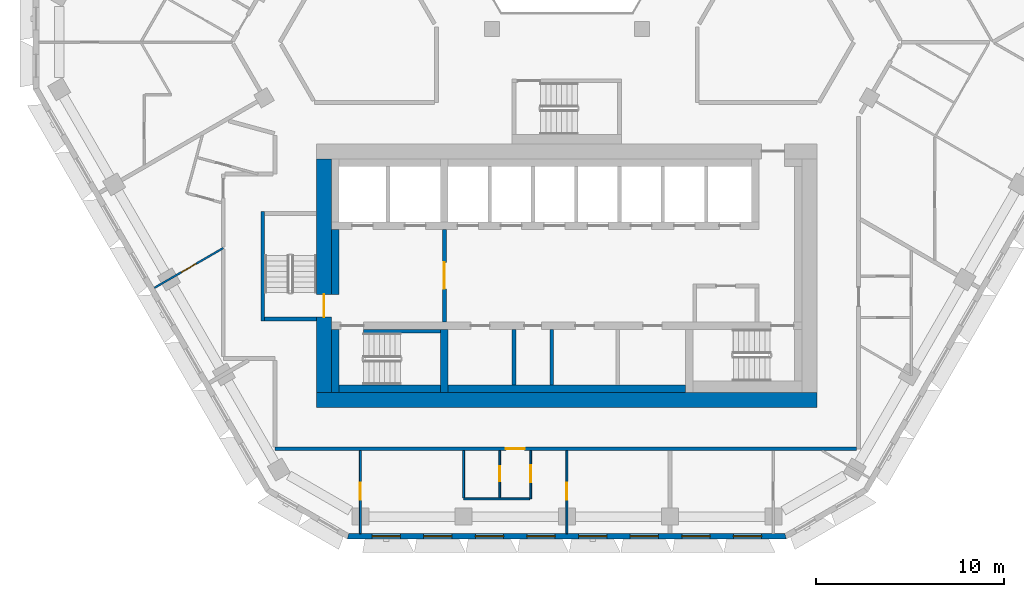
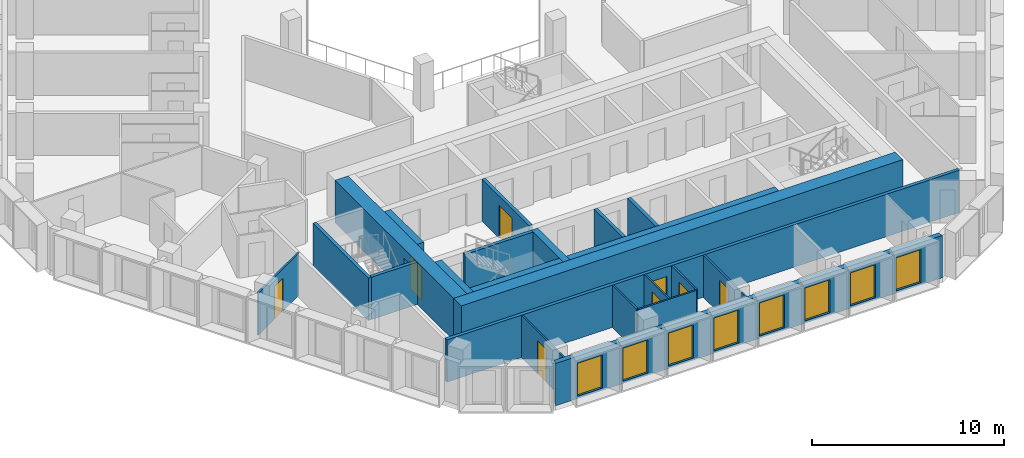
# One storey, part 3 of 17: 22 walls, 8 doors, 8 windows, 16 openings.
"""IFC4 building model written with IfcOpenShell, lengths in metres."""

from ifc_helpers import new_model, si_unit, direction, frame, frame_2d, origin, place, context, subcontext, project, spatial, polyline, rectangle, outline, extrude, material, layer, layer_set, type_object, element, fill, save


model = new_model("IFC4")

# Units and contexts
model_context = context("Model", 3, precision=1e-05, world=origin(), true_north=direction((0.0, 1.0)))
body_context = subcontext(model_context, "Body", "Model", "MODEL_VIEW")
ifc_project = project(units=[si_unit("LENGTHUNIT", "METRE"), si_unit("AREAUNIT", "SQUARE_METRE"), si_unit("VOLUMEUNIT", "CUBIC_METRE"), si_unit("PLANEANGLEUNIT", "RADIAN"), si_unit("MASSUNIT", "GRAM", prefix="KILO")], contexts=[model_context])

# Site, building, storey
site_placement = place(None, origin())
site = spatial("IfcSite", under=ifc_project, at=site_placement, CompositionType="ELEMENT")
building_placement = place(site_placement, origin())
building = spatial("IfcBuilding", under=site, at=building_placement, Name="Beryl Residences", CompositionType="ELEMENT")
storey_placement = place(building_placement, frame((0.0, 0.0, 126.60009765625)))
storey = spatial("IfcBuildingStorey", under=building, at=storey_placement, Name="L38", CompositionType="ELEMENT", Elevation=126.60009765625)

# Wall, openings, windows
ifc_material_1 = material(Name="Composite metal panel with mineral wool insulation")
ifc_layer_1 = layer(ifc_material_1, 0.300048828125)
ifc_layer_set_1 = layer_set([ifc_layer_1], Name="ES1 pale metal composite panel wall 300 mm")
wall_type_1 = type_object("IfcWallType", Name="ES1 pale metal composite panel wall 300 mm", PredefinedType="SOLIDWALL", material=ifc_layer_set_1)
wall_1_placement = place(storey_placement, frame((-11.662109375, -25.85009765625, 0.0), z_axis=(0.0, 0.0, 1.0), x_axis=(1.0, 0.0, 0.0)))
wall_1 = element("IfcWall", 1, at=wall_1_placement, inside=storey, type_object=wall_type_1, Name="ES1 external wall L38 S", PredefinedType="SOLIDWALL", context=body_context, shape_type="SweptSolid", body=[
    extrude(outline(polyline([(0.0, -0.14990234375), (23.32421875, -0.14990234375), (23.243896484375, 0.14990234375), (0.080322265625, 0.14990234375), (0.0, -0.14990234375)])), origin(), (0.0, 0.0, 1.0), 2.699951171875),
])
opening_1_placement = place(wall_1_placement, frame((1.31396484375, 0.0, 0.14990234375)))
opening_1 = element("IfcOpeningElement", 2, at=opening_1_placement, cuts=wall_1, Name="Opening W1", PredefinedType="OPENING", context=body_context, shape_type="SweptSolid", body=[
    extrude(rectangle(XDim=1.5, YDim=2.10009765625, at=frame_2d((0.75, 1.050048828125))), frame((0.0, 0.159912109375, 0.0), z_axis=(0.0, -1.0, 0.0), x_axis=(1.0, 0.0, 0.0)), (0.0, 0.0, 1.0), 0.320068359375),
])
opening_2_placement = place(wall_1_placement, frame((4.056884765625, 0.0, 0.14990234375)))
opening_2 = element("IfcOpeningElement", 3, at=opening_2_placement, cuts=wall_1, Name="Opening W1", PredefinedType="OPENING", context=body_context, shape_type="SweptSolid", body=[
    extrude(rectangle(XDim=1.5, YDim=2.10009765625, at=frame_2d((0.75, 1.050048828125))), frame((0.0, 0.159912109375, 0.0), z_axis=(0.0, -1.0, 0.0), x_axis=(1.0, 0.0, 0.0)), (0.0, 0.0, 1.0), 0.320068359375),
])
opening_3_placement = place(wall_1_placement, frame((6.799072265625, 0.0, 0.14990234375)))
opening_3 = element("IfcOpeningElement", 4, at=opening_3_placement, cuts=wall_1, Name="Opening W1", PredefinedType="OPENING", context=body_context, shape_type="SweptSolid", body=[
    extrude(rectangle(XDim=1.5, YDim=2.10009765625, at=frame_2d((0.75, 1.050048828125))), frame((0.0, 0.159912109375, 0.0), z_axis=(0.0, -1.0, 0.0), x_axis=(1.0, 0.0, 0.0)), (0.0, 0.0, 1.0), 0.320068359375),
])
opening_4_placement = place(wall_1_placement, frame((9.5419921875, 0.0, 0.14990234375)))
opening_4 = element("IfcOpeningElement", 5, at=opening_4_placement, cuts=wall_1, Name="Opening W1", PredefinedType="OPENING", context=body_context, shape_type="SweptSolid", body=[
    extrude(rectangle(XDim=1.5, YDim=2.10009765625, at=frame_2d((0.75, 1.050048828125))), frame((0.0, 0.159912109375, 0.0), z_axis=(0.0, -1.0, 0.0), x_axis=(1.0, 0.0, 0.0)), (0.0, 0.0, 1.0), 0.320068359375),
])
opening_5_placement = place(wall_1_placement, frame((12.283935546875, 0.0, 0.14990234375)))
opening_5 = element("IfcOpeningElement", 6, at=opening_5_placement, cuts=wall_1, Name="Opening W1", PredefinedType="OPENING", context=body_context, shape_type="SweptSolid", body=[
    extrude(rectangle(XDim=1.5, YDim=2.10009765625, at=frame_2d((0.75, 1.050048828125))), frame((0.0, 0.159912109375, 0.0), z_axis=(0.0, -1.0, 0.0), x_axis=(1.0, 0.0, 0.0)), (0.0, 0.0, 1.0), 0.320068359375),
])
opening_6_placement = place(wall_1_placement, frame((15.027099609375, 0.0, 0.14990234375)))
opening_6 = element("IfcOpeningElement", 7, at=opening_6_placement, cuts=wall_1, Name="Opening W1", PredefinedType="OPENING", context=body_context, shape_type="SweptSolid", body=[
    extrude(rectangle(XDim=1.5, YDim=2.10009765625, at=frame_2d((0.75, 1.050048828125))), frame((0.0, 0.159912109375, 0.0), z_axis=(0.0, -1.0, 0.0), x_axis=(1.0, 0.0, 0.0)), (0.0, 0.0, 1.0), 0.320068359375),
])
opening_7_placement = place(wall_1_placement, frame((17.76904296875, 0.0, 0.14990234375)))
opening_7 = element("IfcOpeningElement", 8, at=opening_7_placement, cuts=wall_1, Name="Opening W1", PredefinedType="OPENING", context=body_context, shape_type="SweptSolid", body=[
    extrude(rectangle(XDim=1.5, YDim=2.10009765625, at=frame_2d((0.75, 1.050048828125))), frame((0.0, 0.159912109375, 0.0), z_axis=(0.0, -1.0, 0.0), x_axis=(1.0, 0.0, 0.0)), (0.0, 0.0, 1.0), 0.320068359375),
])
opening_8_placement = place(wall_1_placement, frame((20.511962890625, 0.0, 0.14990234375)))
opening_8 = element("IfcOpeningElement", 9, at=opening_8_placement, cuts=wall_1, Name="Opening W1", PredefinedType="OPENING", context=body_context, shape_type="SweptSolid", body=[
    extrude(rectangle(XDim=1.5, YDim=2.10009765625, at=frame_2d((0.75, 1.050048828125))), frame((0.0, 0.159912109375, 0.0), z_axis=(0.0, -1.0, 0.0), x_axis=(1.0, 0.0, 0.0)), (0.0, 0.0, 1.0), 0.320068359375),
])
ifc_material_2 = material(Name="Aluminium and clear glass", Category="aluminium")
window_type = type_object("IfcWindowType", Name="W1 cell window 1500 x 2100 mm", PartitioningType="SINGLE_PANEL", PredefinedType="WINDOW", material=ifc_material_2)
window_1_placement = place(opening_1_placement, origin())
window_1 = element("IfcWindow", 10, at=window_1_placement, inside=storey, type_object=window_type, Name="W1 window L38 S 1", OverallHeight=2.10009765625, OverallWidth=1.5, PartitioningType="SINGLE_PANEL", PredefinedType="WINDOW", context=body_context, shape_type="SweptSolid", body=[
    extrude(rectangle(XDim=1.5, YDim=2.10009765625, at=frame_2d((0.75, 1.050048828125))), frame((0.0, 0.030029296875, 0.0), z_axis=(0.0, -1.0, 0.0), x_axis=(1.0, 0.0, 0.0)), (0.0, 0.0, 1.0), 0.06005859375),
])
fill(opening_1, window_1)
window_2_placement = place(opening_2_placement, origin())
window_2 = element("IfcWindow", 11, at=window_2_placement, inside=storey, type_object=window_type, Name="W1 window L38 S 2", OverallHeight=2.10009765625, OverallWidth=1.5, PartitioningType="SINGLE_PANEL", PredefinedType="WINDOW", context=body_context, shape_type="SweptSolid", body=[
    extrude(rectangle(XDim=1.5, YDim=2.10009765625, at=frame_2d((0.75, 1.050048828125))), frame((0.0, 0.030029296875, 0.0), z_axis=(0.0, -1.0, 0.0), x_axis=(1.0, 0.0, 0.0)), (0.0, 0.0, 1.0), 0.06005859375),
])
fill(opening_2, window_2)
window_3_placement = place(opening_3_placement, origin())
window_3 = element("IfcWindow", 12, at=window_3_placement, inside=storey, type_object=window_type, Name="W1 window L38 S 3", OverallHeight=2.10009765625, OverallWidth=1.5, PartitioningType="SINGLE_PANEL", PredefinedType="WINDOW", context=body_context, shape_type="SweptSolid", body=[
    extrude(rectangle(XDim=1.5, YDim=2.10009765625, at=frame_2d((0.75, 1.050048828125))), frame((0.0, 0.030029296875, 0.0), z_axis=(0.0, -1.0, 0.0), x_axis=(1.0, 0.0, 0.0)), (0.0, 0.0, 1.0), 0.06005859375),
])
fill(opening_3, window_3)
window_4_placement = place(opening_4_placement, origin())
window_4 = element("IfcWindow", 13, at=window_4_placement, inside=storey, type_object=window_type, Name="W1 window L38 S 4", OverallHeight=2.10009765625, OverallWidth=1.5, PartitioningType="SINGLE_PANEL", PredefinedType="WINDOW", context=body_context, shape_type="SweptSolid", body=[
    extrude(rectangle(XDim=1.5, YDim=2.10009765625, at=frame_2d((0.75, 1.050048828125))), frame((0.0, 0.030029296875, 0.0), z_axis=(0.0, -1.0, 0.0), x_axis=(1.0, 0.0, 0.0)), (0.0, 0.0, 1.0), 0.06005859375),
])
fill(opening_4, window_4)
window_5_placement = place(opening_5_placement, origin())
window_5 = element("IfcWindow", 14, at=window_5_placement, inside=storey, type_object=window_type, Name="W1 window L38 S 5", OverallHeight=2.10009765625, OverallWidth=1.5, PartitioningType="SINGLE_PANEL", PredefinedType="WINDOW", context=body_context, shape_type="SweptSolid", body=[
    extrude(rectangle(XDim=1.5, YDim=2.10009765625, at=frame_2d((0.75, 1.050048828125))), frame((0.0, 0.030029296875, 0.0), z_axis=(0.0, -1.0, 0.0), x_axis=(1.0, 0.0, 0.0)), (0.0, 0.0, 1.0), 0.06005859375),
])
fill(opening_5, window_5)
window_6_placement = place(opening_6_placement, origin())
window_6 = element("IfcWindow", 15, at=window_6_placement, inside=storey, type_object=window_type, Name="W1 window L38 S 6", OverallHeight=2.10009765625, OverallWidth=1.5, PartitioningType="SINGLE_PANEL", PredefinedType="WINDOW", context=body_context, shape_type="SweptSolid", body=[
    extrude(rectangle(XDim=1.5, YDim=2.10009765625, at=frame_2d((0.75, 1.050048828125))), frame((0.0, 0.030029296875, 0.0), z_axis=(0.0, -1.0, 0.0), x_axis=(1.0, 0.0, 0.0)), (0.0, 0.0, 1.0), 0.06005859375),
])
fill(opening_6, window_6)
window_7_placement = place(opening_7_placement, origin())
window_7 = element("IfcWindow", 16, at=window_7_placement, inside=storey, type_object=window_type, Name="W1 window L38 S 7", OverallHeight=2.10009765625, OverallWidth=1.5, PartitioningType="SINGLE_PANEL", PredefinedType="WINDOW", context=body_context, shape_type="SweptSolid", body=[
    extrude(rectangle(XDim=1.5, YDim=2.10009765625, at=frame_2d((0.75, 1.050048828125))), frame((0.0, 0.030029296875, 0.0), z_axis=(0.0, -1.0, 0.0), x_axis=(1.0, 0.0, 0.0)), (0.0, 0.0, 1.0), 0.06005859375),
])
fill(opening_7, window_7)
window_8_placement = place(opening_8_placement, origin())
window_8 = element("IfcWindow", 17, at=window_8_placement, inside=storey, type_object=window_type, Name="W1 window L38 S 8", OverallHeight=2.10009765625, OverallWidth=1.5, PartitioningType="SINGLE_PANEL", PredefinedType="WINDOW", context=body_context, shape_type="SweptSolid", body=[
    extrude(rectangle(XDim=1.5, YDim=2.10009765625, at=frame_2d((0.75, 1.050048828125))), frame((0.0, 0.030029296875, 0.0), z_axis=(0.0, -1.0, 0.0), x_axis=(1.0, 0.0, 0.0)), (0.0, 0.0, 1.0), 0.06005859375),
])
fill(opening_8, window_8)

# Wall
ifc_material_3 = material(Name="Gypsum board partition on steel studs", Category="steel")
ifc_layer_2 = layer(ifc_material_3, 0.10009765625)
ifc_layer_set_2 = layer_set([ifc_layer_2], Name="PT1 partition 100 mm gypsum board on steel studs")
wall_type_2 = type_object("IfcWallType", Name="PT1 partition 100 mm gypsum board on steel studs", PredefinedType="PARTITIONING", material=ifc_layer_set_2)
wall_2_placement = place(storey_placement, frame((-5.48388671875, -21.300048828125, 0.0), z_axis=(0.0, 0.0, 1.0), x_axis=(0.0, -1.0, 0.0)))
element("IfcWall", 18, at=wall_2_placement, inside=storey, type_object=wall_type_2, Name="Wall PT1 L38 006", PredefinedType="PARTITIONING", context=body_context, shape_type="SweptSolid", body=[
    extrude(rectangle(XDim=2.509033203125, YDim=0.10009765625, at=frame_2d((1.25439453125, 0.0))), origin(), (0.0, 0.0, 1.0), 2.699951171875),
])

# Wall, opening, door
wall_3_placement = place(storey_placement, frame((0.0009765625, -21.300048828125, 0.0), z_axis=(0.0, 0.0, 1.0), x_axis=(0.0, -1.0, 0.0)))
wall_3 = element("IfcWall", 19, at=wall_3_placement, inside=storey, type_object=wall_type_2, Name="Wall PT1 L38 007", PredefinedType="PARTITIONING", context=body_context, shape_type="SweptSolid", body=[
    extrude(rectangle(XDim=4.39990234375, YDim=0.10009765625, at=frame_2d((2.199951171875, 0.0))), origin(), (0.0, 0.0, 1.0), 2.699951171875),
])
opening_9_placement = place(wall_3_placement, frame((1.699951171875, 0.0, 0.0)))
opening_9 = element("IfcOpeningElement", 20, at=opening_9_placement, cuts=wall_3, Name="Opening D1035", PredefinedType="OPENING", context=body_context, shape_type="SweptSolid", body=[
    extrude(rectangle(XDim=0.89990234375, YDim=2.10009765625, at=frame_2d((0.449951171875, 1.050048828125))), frame((0.0, 0.06005859375, 0.0), z_axis=(0.0, -1.0, 0.0), x_axis=(1.0, 0.0, 0.0)), (0.0, 0.0, 1.0), 0.1201171875),
])
ifc_material_4 = material(Name="Timber door leaf", Category="wood")
door_type_1 = type_object("IfcDoorType", Name="D2 room door 900 x 2100 mm", OperationType="SINGLE_SWING_LEFT", PredefinedType="DOOR", material=ifc_material_4)
door_1_placement = place(opening_9_placement, origin())
door_1 = element("IfcDoor", 21, at=door_1_placement, inside=storey, type_object=door_type_1, Name="Door D1035 L38 001", OperationType="SINGLE_SWING_LEFT", OverallHeight=2.10009765625, OverallWidth=0.89990234375, PredefinedType="DOOR", context=body_context, shape_type="SweptSolid", body=[
    extrude(rectangle(XDim=0.89990234375, YDim=2.10009765625, at=frame_2d((0.449951171875, 1.050048828125))), frame((0.0, 0.02490234375, 0.0), z_axis=(0.0, -1.0, 0.0), x_axis=(1.0, 0.0, 0.0)), (0.0, 0.0, 1.0), 0.050048828125),
])
fill(opening_9, door_1)

# Wall
wall_4_placement = place(storey_placement, frame((-5.48291015625, -23.860107421875, 0.0), z_axis=(0.0, 0.0, 1.0), x_axis=(1.0, 0.0, 0.0)))
element("IfcWall", 22, at=wall_4_placement, inside=storey, type_object=wall_type_2, Name="Wall PT1 L38 024", PredefinedType="PARTITIONING", context=body_context, shape_type="SweptSolid", body=[
    extrude(rectangle(XDim=3.512939453125, YDim=0.10009765625, at=frame_2d((1.75634765625, 0.0))), origin(), (0.0, 0.0, 1.0), 2.699951171875),
])

# Wall, opening, door
wall_5_placement = place(storey_placement, frame((-3.56396484375, -23.81005859375, 0.0), z_axis=(0.0, 0.0, 1.0), x_axis=(0.0, 1.0, 0.0)))
wall_5 = element("IfcWall", 23, at=wall_5_placement, inside=storey, type_object=wall_type_2, Name="Wall PT1 L38 045", PredefinedType="PARTITIONING", context=body_context, shape_type="SweptSolid", body=[
    extrude(rectangle(XDim=2.510009765625, YDim=0.10009765625, at=frame_2d((1.2548828125, 0.0))), origin(), (0.0, 0.0, 1.0), 2.699951171875),
])
opening_10_placement = place(wall_5_placement, frame((0.8798828125, 0.0, 0.0)))
opening_10 = element("IfcOpeningElement", 24, at=opening_10_placement, cuts=wall_5, Name="Opening D1033", PredefinedType="OPENING", context=body_context, shape_type="SweptSolid", body=[
    extrude(rectangle(XDim=0.800048828125, YDim=2.10009765625, at=frame_2d((0.39990234375, 1.050048828125))), frame((0.0, 0.06005859375, 0.0), z_axis=(0.0, -1.0, 0.0), x_axis=(1.0, 0.0, 0.0)), (0.0, 0.0, 1.0), 0.1201171875),
])
ifc_material_5 = material(Name="Timber door leaf", Category="wood")
door_type_2 = type_object("IfcDoorType", Name="D3 bathroom door 800 x 2100 mm", OperationType="SINGLE_SWING_LEFT", PredefinedType="DOOR", material=ifc_material_5)
door_2_placement = place(opening_10_placement, origin())
door_2 = element("IfcDoor", 25, at=door_2_placement, inside=storey, type_object=door_type_2, Name="Door D1033 L38 001", OperationType="SINGLE_SWING_LEFT", OverallHeight=2.10009765625, OverallWidth=0.800048828125, PredefinedType="DOOR", context=body_context, shape_type="SweptSolid", body=[
    extrude(rectangle(XDim=0.800048828125, YDim=2.10009765625, at=frame_2d((0.39990234375, 1.050048828125))), frame((0.0, 0.02490234375, 0.0), z_axis=(0.0, -1.0, 0.0), x_axis=(1.0, 0.0, 0.0)), (0.0, 0.0, 1.0), 0.050048828125),
])
fill(opening_10, door_2)

wall_6_placement = place(storey_placement, frame((-10.968994140625, -25.699951171875, 0.0), z_axis=(0.0, 0.0, 1.0), x_axis=(0.0, 1.0, 0.0)))
wall_6 = element("IfcWall", 26, at=wall_6_placement, inside=storey, type_object=wall_type_2, Name="Wall PT1 L38 047", PredefinedType="PARTITIONING", context=body_context, shape_type="SweptSolid", body=[
    extrude(rectangle(XDim=4.39990234375, YDim=0.10009765625, at=frame_2d((2.199951171875, 0.0))), origin(), (0.0, 0.0, 1.0), 2.699951171875),
])
opening_11_placement = place(wall_6_placement, frame((1.800048828125, 0.0, 0.0)))
opening_11 = element("IfcOpeningElement", 27, at=opening_11_placement, cuts=wall_6, Name="Opening D1034", PredefinedType="OPENING", context=body_context, shape_type="SweptSolid", body=[
    extrude(rectangle(XDim=0.89990234375, YDim=2.10009765625, at=frame_2d((0.449951171875, 1.050048828125))), frame((0.0, 0.06005859375, 0.0), z_axis=(0.0, -1.0, 0.0), x_axis=(1.0, 0.0, 0.0)), (0.0, 0.0, 1.0), 0.1201171875),
])
door_3_placement = place(opening_11_placement, origin())
door_3 = element("IfcDoor", 28, at=door_3_placement, inside=storey, type_object=door_type_1, Name="Door D1034 L38 001", OperationType="SINGLE_SWING_RIGHT", OverallHeight=2.10009765625, OverallWidth=0.89990234375, PredefinedType="DOOR", context=body_context, shape_type="SweptSolid", body=[
    extrude(rectangle(XDim=0.89990234375, YDim=2.10009765625, at=frame_2d((0.449951171875, 1.050048828125))), frame((0.0, 0.02490234375, 0.0), z_axis=(0.0, -1.0, 0.0), x_axis=(1.0, 0.0, 0.0)), (0.0, 0.0, 1.0), 0.050048828125),
])
fill(opening_11, door_3)

wall_7_placement = place(storey_placement, frame((-1.9189453125, -23.85888671875, 0.0), z_axis=(0.0, 0.0, 1.0), x_axis=(0.0, 1.0, 0.0)))
wall_7 = element("IfcWall", 29, at=wall_7_placement, inside=storey, type_object=wall_type_2, Name="Wall PT1 L38 048", PredefinedType="PARTITIONING", context=body_context, shape_type="SweptSolid", body=[
    extrude(rectangle(XDim=2.558837890625, YDim=0.10009765625, at=frame_2d((1.279296875, 0.0))), origin(), (0.0, 0.0, 1.0), 2.699951171875),
])
opening_12_placement = place(wall_7_placement, frame((0.87890625, 0.0, 0.0)))
opening_12 = element("IfcOpeningElement", 30, at=opening_12_placement, cuts=wall_7, Name="Opening D1032", PredefinedType="OPENING", context=body_context, shape_type="SweptSolid", body=[
    extrude(rectangle(XDim=0.89990234375, YDim=2.10009765625, at=frame_2d((0.449951171875, 1.050048828125))), frame((0.0, 0.06005859375, 0.0), z_axis=(0.0, -1.0, 0.0), x_axis=(1.0, 0.0, 0.0)), (0.0, 0.0, 1.0), 0.1201171875),
])
door_4_placement = place(opening_12_placement, origin())
door_4 = element("IfcDoor", 31, at=door_4_placement, inside=storey, type_object=door_type_1, Name="Door D1032 L38 001", OperationType="SINGLE_SWING_RIGHT", OverallHeight=2.10009765625, OverallWidth=0.89990234375, PredefinedType="DOOR", context=body_context, shape_type="SweptSolid", body=[
    extrude(rectangle(XDim=0.89990234375, YDim=2.10009765625, at=frame_2d((0.449951171875, 1.050048828125))), frame((0.0, 0.02490234375, 0.0), z_axis=(0.0, -1.0, 0.0), x_axis=(1.0, 0.0, 0.0)), (0.0, 0.0, 1.0), 0.050048828125),
])
fill(opening_12, door_4)

wall_8_placement = place(storey_placement, frame((-21.910888671875, -12.64892578125, 0.0), z_axis=(0.0, 0.0, 1.0), x_axis=(0.865984571374, 0.500070717141, 0.0)))
wall_8 = element("IfcWall", 32, at=wall_8_placement, inside=storey, type_object=wall_type_2, Name="Wall PT1 L38 051", PredefinedType="PARTITIONING", context=body_context, shape_type="SweptSolid", body=[
    extrude(rectangle(XDim=4.2275390625, YDim=0.10009765625, at=frame_2d((2.11376953125, 0.0))), origin(), (0.0, 0.0, 1.0), 2.699951171875),
])
opening_13_placement = place(wall_8_placement, frame((1.6630859375, 0.0, 0.0)))
opening_13 = element("IfcOpeningElement", 33, at=opening_13_placement, cuts=wall_8, Name="Opening D1030", PredefinedType="OPENING", context=body_context, shape_type="SweptSolid", body=[
    extrude(rectangle(XDim=0.89990234375, YDim=2.10009765625, at=frame_2d((0.449951171875, 1.050048828125))), frame((0.0, 0.06005859375, 0.0), z_axis=(0.0, -1.0, 0.0), x_axis=(1.0, 0.0, 0.0)), (0.0, 0.0, 1.0), 0.1201171875),
])
door_5_placement = place(opening_13_placement, origin())
door_5 = element("IfcDoor", 34, at=door_5_placement, inside=storey, type_object=door_type_1, Name="Door D1030 L38 001", OperationType="SINGLE_SWING_RIGHT", OverallHeight=2.10009765625, OverallWidth=0.89990234375, PredefinedType="DOOR", context=body_context, shape_type="SweptSolid", body=[
    extrude(rectangle(XDim=0.89990234375, YDim=2.10009765625, at=frame_2d((0.449951171875, 1.050048828125))), frame((0.0, 0.02490234375, 0.0), z_axis=(0.0, -1.0, 0.0), x_axis=(1.0, 0.0, 0.0)), (0.0, 0.0, 1.0), 0.050048828125),
])
fill(opening_13, door_5)

ifc_material_6 = material(Name="Concrete masonry", Category="masonry")
ifc_layer_3 = layer(ifc_material_6, 0.199951171875)
ifc_layer_set_3 = layer_set([ifc_layer_3], Name="PT13 lobby wall 200 mm")
wall_type_3 = type_object("IfcWallType", Name="PT13 lobby wall 200 mm", PredefinedType="PARTITIONING", material=ifc_layer_set_3)
wall_9_placement = place(storey_placement, frame((-6.5, -14.449951171875, 0.0), z_axis=(0.0, 0.0, 1.0), x_axis=(0.0, 1.0, 0.0)))
wall_9 = element("IfcWall", 35, at=wall_9_placement, inside=storey, type_object=wall_type_3, Name="Lobby wall 11", PredefinedType="PARTITIONING", context=body_context, shape_type="SweptSolid", body=[
    extrude(rectangle(XDim=4.89990234375, YDim=0.199951171875, at=frame_2d((2.449951171875, 0.0))), origin(), (0.0, 0.0, 1.0), 2.699951171875),
])
opening_14_placement = place(wall_9_placement, frame((3.14990234375, 0.0, 0.0), z_axis=(0.0, 0.0, 1.0), x_axis=(-1.0, 0.0, 0.0)))
opening_14 = element("IfcOpeningElement", 36, at=opening_14_placement, cuts=wall_9, Name="Opening FD-FFL", PredefinedType="OPENING", context=body_context, shape_type="SweptSolid", body=[
    extrude(rectangle(XDim=1.39990234375, YDim=2.10009765625, at=frame_2d((0.699951171875, 1.050048828125))), frame((0.0, 0.10986328125, 0.0), z_axis=(0.0, -1.0, 0.0), x_axis=(1.0, 0.0, 0.0)), (0.0, 0.0, 1.0), 0.219970703125),
])
ifc_material_7 = material(Name="Steel door leaf in steel frame", Category="steel")
door_type_3 = type_object("IfcDoorType", Name="D5 lobby door 1400 x 2100 mm", OperationType="DOUBLE_DOOR_SINGLE_SWING", PredefinedType="DOOR", material=ifc_material_7)
door_6_placement = place(opening_14_placement, origin())
door_6 = element("IfcDoor", 37, at=door_6_placement, inside=storey, type_object=door_type_3, Name="Door FD-FFL L38 001", OperationType="DOUBLE_DOOR_SINGLE_SWING", OverallHeight=2.10009765625, OverallWidth=1.39990234375, PredefinedType="DOOR", context=body_context, shape_type="SweptSolid", body=[
    extrude(rectangle(XDim=1.39990234375, YDim=2.10009765625, at=frame_2d((0.699951171875, 1.050048828125))), frame((0.0, 0.02490234375, 0.0), z_axis=(0.0, -1.0, 0.0), x_axis=(1.0, 0.0, 0.0)), (0.0, 0.0, 1.0), 0.050048828125),
])
fill(opening_14, door_6)

# Wall
ifc_material_8 = material(Name="Concrete masonry", Category="masonry")
ifc_layer_4 = layer(ifc_material_8, 0.39990234375)
ifc_layer_set_4 = layer_set([ifc_layer_4], Name="PT13-400 lobby wall 400 mm")
wall_type_4 = type_object("IfcWallType", Name="PT13-400 lobby wall 400 mm", PredefinedType="PARTITIONING", material=ifc_layer_set_4)
wall_10_placement = place(storey_placement, frame((-12.300048828125, -13.0, 0.0), z_axis=(0.0, 0.0, 1.0), x_axis=(0.0, 1.0, 0.0)))
element("IfcWall", 38, at=wall_10_placement, inside=storey, type_object=wall_type_4, Name="Lobby wall 05", PredefinedType="PARTITIONING", context=body_context, shape_type="SweptSolid", body=[
    extrude(rectangle(XDim=3.449951171875, YDim=0.39990234375, at=frame_2d((1.72509765625, 0.0))), origin(), (0.0, 0.0, 1.0), 2.699951171875),
])

# Wall, opening, door
ifc_material_9 = material(Name="Double stud gypsum board wall")
ifc_layer_5 = layer(ifc_material_9, 0.199951171875)
ifc_layer_set_5 = layer_set([ifc_layer_5], Name="PT4 corridor wall 200 mm double stud")
wall_type_5 = type_object("IfcWallType", Name="PT4 corridor wall 200 mm double stud", PredefinedType="PARTITIONING", material=ifc_layer_set_5)
wall_11_placement = place(storey_placement, frame((-15.4990234375, -21.199951171875, 0.0), z_axis=(0.0, 0.0, 1.0), x_axis=(1.0, 0.0, 0.0)))
wall_11 = element("IfcWall", 39, at=wall_11_placement, inside=storey, type_object=wall_type_5, Name="Wall PT4 L38 011", PredefinedType="PARTITIONING", context=body_context, shape_type="SweptSolid", body=[
    extrude(rectangle(XDim=30.89892578125, YDim=0.199951171875, at=frame_2d((15.449462890625, 0.0))), origin(), (0.0, 0.0, 1.0), 2.699951171875),
])
opening_15_placement = place(wall_11_placement, frame((12.258056640625, 0.0, 0.0)))
opening_15 = element("IfcOpeningElement", 40, at=opening_15_placement, cuts=wall_11, Name="Opening D1031", PredefinedType="OPENING", context=body_context, shape_type="SweptSolid", body=[
    extrude(rectangle(XDim=1.0, YDim=2.10009765625, at=frame_2d((0.5, 1.050048828125))), frame((0.0, 0.10986328125, 0.0), z_axis=(0.0, -1.0, 0.0), x_axis=(1.0, 0.0, 0.0)), (0.0, 0.0, 1.0), 0.219970703125),
])
ifc_material_10 = material(Name="Timber door leaf", Category="wood")
door_type_4 = type_object("IfcDoorType", Name="D1 flat entrance door 1000 x 2100 mm", OperationType="SINGLE_SWING_LEFT", PredefinedType="DOOR", material=ifc_material_10)
door_7_placement = place(opening_15_placement, origin())
door_7 = element("IfcDoor", 41, at=door_7_placement, inside=storey, type_object=door_type_4, Name="Door D1031 L38 001", OperationType="SINGLE_SWING_LEFT", OverallHeight=2.10009765625, OverallWidth=1.0, PredefinedType="DOOR", context=body_context, shape_type="SweptSolid", body=[
    extrude(rectangle(XDim=1.0, YDim=2.10009765625, at=frame_2d((0.5, 1.050048828125))), frame((0.0, 0.02490234375, 0.0), z_axis=(0.0, -1.0, 0.0), x_axis=(1.0, 0.0, 0.0)), (0.0, 0.0, 1.0), 0.050048828125),
])
fill(opening_15, door_7)

# Walls
ifc_material_11 = material(Name="Concrete C40/50", Category="concrete")
ifc_layer_6 = layer(ifc_material_11, 0.199951171875)
ifc_layer_set_6 = layer_set([ifc_layer_6], Name="PT5 stair enclosure wall 200 mm reinforced concrete C40/50")
wall_type_6 = type_object("IfcWallType", Name="PT5 stair enclosure wall 200 mm reinforced concrete C40/50", PredefinedType="SOLIDWALL", material=ifc_layer_set_6)
wall_12_placement = place(storey_placement, frame((-16.14990234375, -14.39990234375, 0.0), z_axis=(0.0, 0.0, 1.0), x_axis=(0.0, 1.0, 0.0)))
element("IfcWall", 42, at=wall_12_placement, inside=storey, type_object=wall_type_6, Name="Stair wall 01", PredefinedType="SOLIDWALL", context=body_context, shape_type="SweptSolid", body=[
    extrude(rectangle(XDim=5.7998046875, YDim=0.199951171875, at=frame_2d((2.89990234375, 0.0))), origin(), (0.0, 0.0, 1.0), 2.699951171875),
])
wall_13_placement = place(storey_placement, frame((-16.050048828125, -14.300048828125, 0.0), z_axis=(0.0, 0.0, 1.0), x_axis=(1.0, 0.0, 0.0)))
element("IfcWall", 43, at=wall_13_placement, inside=storey, type_object=wall_type_6, Name="Stair wall 02", PredefinedType="SOLIDWALL", context=body_context, shape_type="SweptSolid", body=[
    extrude(rectangle(XDim=2.75, YDim=0.199951171875, at=frame_2d((1.375, 0.0))), origin(), (0.0, 0.0, 1.0), 2.699951171875),
])
wall_14_placement = place(storey_placement, frame((-10.800048828125, -14.949951171875, 0.0), z_axis=(0.0, 0.0, 1.0), x_axis=(1.0, 0.0, 0.0)))
element("IfcWall", 44, at=wall_14_placement, inside=storey, type_object=wall_type_6, Name="Stair wall 09", PredefinedType="SOLIDWALL", context=body_context, shape_type="SweptSolid", body=[
    extrude(rectangle(XDim=4.10009765625, YDim=0.199951171875, at=frame_2d((2.050048828125, 0.0))), origin(), (0.0, 0.0, 1.0), 2.699951171875),
])
ifc_material_12 = material(Name="Concrete C40/50", Category="concrete")
ifc_layer_7 = layer(ifc_material_12, 0.39990234375)
ifc_layer_set_7 = layer_set([ifc_layer_7], Name="PT5-400 stair enclosure wall 400 mm")
wall_type_7 = type_object("IfcWallType", Name="PT5-400 stair enclosure wall 400 mm", PredefinedType="SOLIDWALL", material=ifc_layer_set_7)
wall_15_placement = place(storey_placement, frame((-12.300048828125, -18.199951171875, 0.0), z_axis=(0.0, 0.0, 1.0), x_axis=(0.0, 1.0, 0.0)))
element("IfcWall", 45, at=wall_15_placement, inside=storey, type_object=wall_type_7, Name="Stair wall 04", PredefinedType="SOLIDWALL", context=body_context, shape_type="SweptSolid", body=[
    extrude(rectangle(XDim=3.349853515625, YDim=0.39990234375, at=frame_2d((1.6748046875, 0.0))), origin(), (0.0, 0.0, 1.0), 2.699951171875),
])
wall_16_placement = place(storey_placement, frame((-12.10009765625, -18.0, 0.0), z_axis=(0.0, 0.0, 1.0), x_axis=(1.0, 0.0, 0.0)))
element("IfcWall", 46, at=wall_16_placement, inside=storey, type_object=wall_type_7, Name="Stair wall 07", PredefinedType="SOLIDWALL", context=body_context, shape_type="SweptSolid", body=[
    extrude(rectangle(XDim=5.400146484375, YDim=0.39990234375, at=frame_2d((2.7001953125, 0.0))), origin(), (0.0, 0.0, 1.0), 2.699951171875),
])
ifc_material_13 = material(Name="Concrete masonry", Category="masonry")
ifc_layer_8 = layer(ifc_material_13, 0.199951171875)
ifc_layer_set_8 = layer_set([ifc_layer_8], Name="PT8-200 service room wall 200 mm")
wall_type_8 = type_object("IfcWallType", Name="PT8-200 service room wall 200 mm", PredefinedType="PARTITIONING", material=ifc_layer_set_8)
for number, where, z_axis, x_axis, name in (
    (47, (-2.800048828125, -17.800048828125, 0.0), (0.0, 0.0, 1.0), (0.0, 1.0, 0.0), "Core room wall 15"),
    (48, (-0.800048828125, -17.800048828125, 0.0), (0.0, 0.0, 1.0), (0.0, 1.0, 0.0), "Core room wall 17"),
):
    element("IfcWall", number, at=place(storey_placement, frame(where, z_axis=z_axis, x_axis=x_axis)), inside=storey, type_object=wall_type_8, Name=name, PredefinedType="PARTITIONING", context=body_context, shape_type="SweptSolid", body=[
        extrude(rectangle(XDim=2.949951171875, YDim=0.199951171875, at=frame_2d((1.47509765625, 0.0))), origin(), (0.0, 0.0, 1.0), 2.699951171875),
    ])
ifc_material_14 = material(Name="Concrete masonry", Category="masonry")
ifc_layer_9 = layer(ifc_material_14, 0.39990234375)
ifc_layer_set_9 = layer_set([ifc_layer_9], Name="PT8-400 service room wall 400 mm")
wall_type_9 = type_object("IfcWallType", Name="PT8-400 service room wall 400 mm", PredefinedType="PARTITIONING", material=ifc_layer_set_9)
wall_17_placement = place(storey_placement, frame((-6.300048828125, -18.0, 0.0), z_axis=(0.0, 0.0, 1.0), x_axis=(1.0, 0.0, 0.0)))
element("IfcWall", 49, at=wall_17_placement, inside=storey, type_object=wall_type_9, Name="Core room wall 12", PredefinedType="PARTITIONING", context=body_context, shape_type="SweptSolid", body=[
    extrude(rectangle(XDim=12.60009765625, YDim=0.39990234375, at=frame_2d((6.300048828125, 0.0))), origin(), (0.0, 0.0, 1.0), 2.699951171875),
])
ifc_material_15 = material(Name="Concrete C60/75", Category="concrete")
ifc_layer_10 = layer(ifc_material_15, 0.800048828125)
ifc_layer_set_10 = layer_set([ifc_layer_10], Name="SW3 core outer wall 800 mm C60/75")
wall_type_10 = type_object("IfcWallType", Name="SW3 core outer wall 800 mm C60/75", PredefinedType="SHEAR", material=ifc_layer_set_10)
wall_18_placement = place(storey_placement, frame((-13.300048828125, -18.60009765625, 0.0), z_axis=(0.0, 0.0, 1.0), x_axis=(1.0, 0.0, 0.0)))
element("IfcWall", 50, at=wall_18_placement, inside=storey, type_object=wall_type_10, Name="Core wall S L38", PredefinedType="SHEAR", context=body_context, shape_type="SweptSolid", body=[
    extrude(rectangle(XDim=26.60009765625, YDim=0.800048828125, at=frame_2d((13.300048828125, 0.0))), origin(), (0.0, 0.0, 1.0), 2.699951171875),
])

# Wall, opening, door
wall_19_placement = place(storey_placement, frame((-12.89990234375, -18.199951171875, 0.0), z_axis=(0.0, 0.0, 1.0), x_axis=(0.0, 1.0, 0.0)))
wall_19 = element("IfcWall", 51, at=wall_19_placement, inside=storey, type_object=wall_type_10, Name="Core wall W L38", PredefinedType="SHEAR", context=body_context, shape_type="SweptSolid", body=[
    extrude(rectangle(XDim=12.39990234375, YDim=0.800048828125, at=frame_2d((6.199951171875, 0.0))), origin(), (0.0, 0.0, 1.0), 2.699951171875),
])
opening_16_placement = place(wall_19_placement, frame((4.0, 0.0, 0.0)))
opening_16 = element("IfcOpeningElement", 52, at=opening_16_placement, cuts=wall_19, Name="Opening SD-2", PredefinedType="OPENING", context=body_context, shape_type="SweptSolid", body=[
    extrude(rectangle(XDim=1.199951171875, YDim=2.10009765625, at=frame_2d((0.60009765625, 1.050048828125))), frame((0.0, 0.409912109375, 0.0), z_axis=(0.0, -1.0, 0.0), x_axis=(1.0, 0.0, 0.0)), (0.0, 0.0, 1.0), 0.820068359375),
])
ifc_material_16 = material(Name="Steel door leaf in steel frame", Category="steel")
door_type_5 = type_object("IfcDoorType", Name="D4 stair door 1200 x 2100 mm", OperationType="SINGLE_SWING_LEFT", PredefinedType="DOOR", material=ifc_material_16)
door_8_placement = place(opening_16_placement, origin())
door_8 = element("IfcDoor", 53, at=door_8_placement, inside=storey, type_object=door_type_5, Name="Door SD-2 L38 001", OperationType="SINGLE_SWING_RIGHT", OverallHeight=2.10009765625, OverallWidth=1.199951171875, PredefinedType="DOOR", context=body_context, shape_type="SweptSolid", body=[
    extrude(rectangle(XDim=1.199951171875, YDim=2.10009765625, at=frame_2d((0.60009765625, 1.050048828125))), frame((0.0, 0.02490234375, 0.0), z_axis=(0.0, -1.0, 0.0), x_axis=(1.0, 0.0, 0.0)), (0.0, 0.0, 1.0), 0.050048828125),
])
fill(opening_16, door_8)

# Wall
ifc_material_17 = material(Name="Concrete C60/75", Category="concrete")
ifc_layer_11 = layer(ifc_material_17, 0.39990234375)
ifc_layer_set_11 = layer_set([ifc_layer_11], Name="SW8 core internal wall 400 mm C60/75")
wall_type_11 = type_object("IfcWallType", Name="SW8 core internal wall 400 mm C60/75", PredefinedType="SHEAR", material=ifc_layer_set_11)
wall_20_placement = place(storey_placement, frame((-6.5, -18.199951171875, 0.0), z_axis=(0.0, 0.0, 1.0), x_axis=(0.0, 1.0, 0.0)))
element("IfcWall", 54, at=wall_20_placement, inside=storey, type_object=wall_type_11, Name="Core wall XS1 L38", PredefinedType="SHEAR", context=body_context, shape_type="SweptSolid", body=[
    extrude(rectangle(XDim=3.349853515625, YDim=0.39990234375, at=frame_2d((1.6748046875, 0.0))), origin(), (0.0, 0.0, 1.0), 2.699951171875),
])

save(model, "model.ifc")
